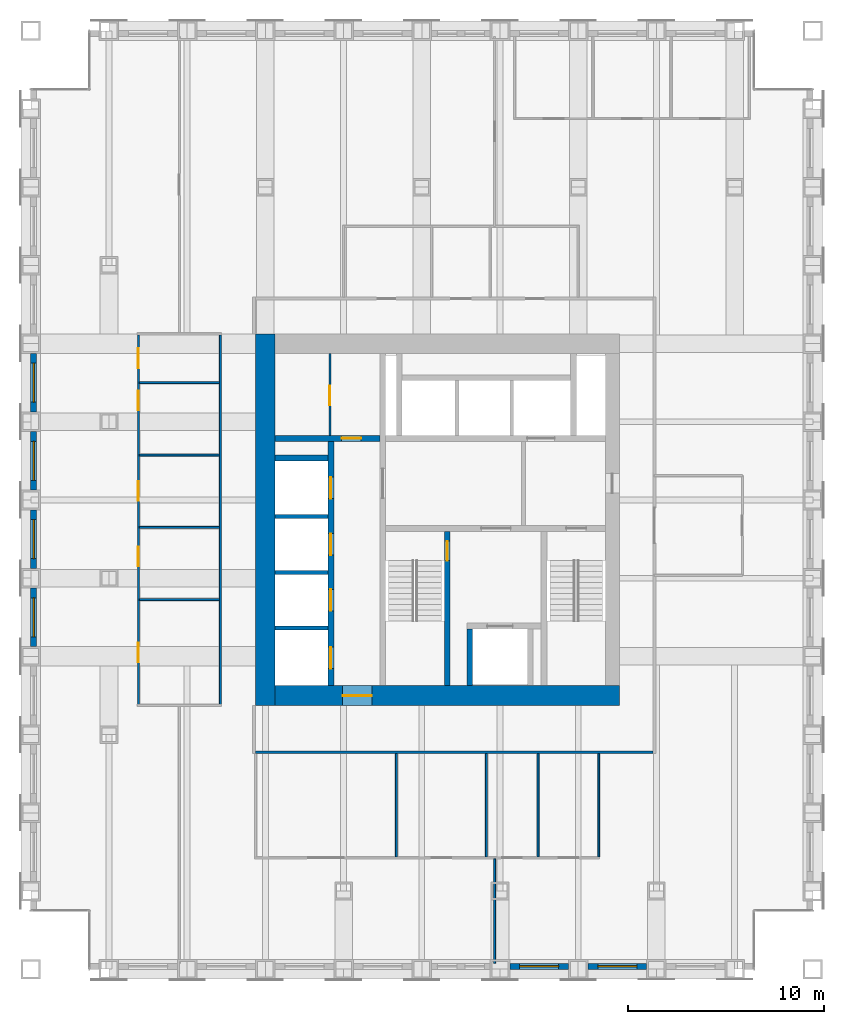
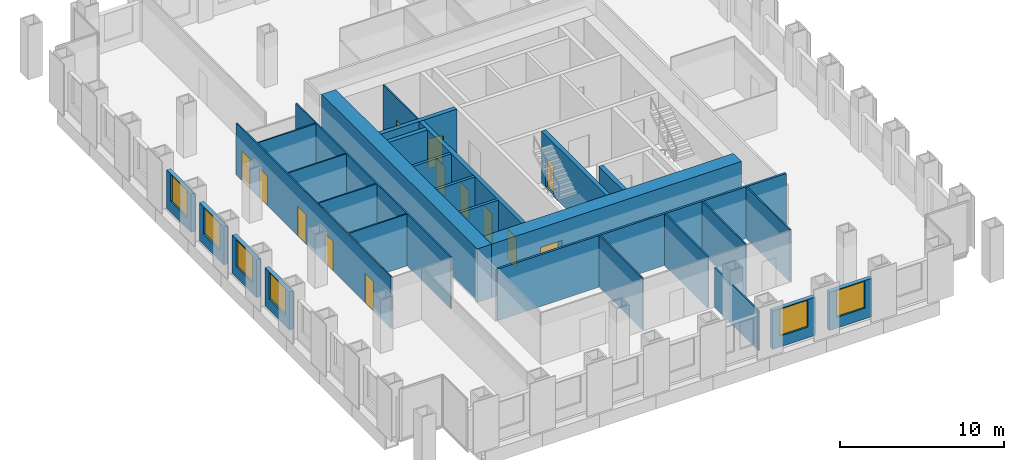
# One storey, part 8 of 12: 29 walls, 13 doors, 6 windows, 19 openings.
"""IFC4 building model written with IfcOpenShell, lengths in metres."""

from ifc_helpers import new_model, si_unit, direction, frame, frame_2d, origin, place, context, subcontext, project, spatial, rectangle, extrude, material, layer, layer_set, type_object, element, fill, save


model = new_model("IFC4")

# Units and contexts
model_context = context("Model", 3, precision=1e-05, world=origin(), true_north=direction((0.0, 1.0)))
body_context = subcontext(model_context, "Body", "Model", "MODEL_VIEW")
ifc_project = project(units=[si_unit("LENGTHUNIT", "METRE"), si_unit("AREAUNIT", "SQUARE_METRE"), si_unit("VOLUMEUNIT", "CUBIC_METRE"), si_unit("PLANEANGLEUNIT", "RADIAN"), si_unit("MASSUNIT", "GRAM", prefix="KILO")], contexts=[model_context])

# Site, building, storey
site_placement = place(None, origin())
site = spatial("IfcSite", under=ifc_project, at=site_placement, CompositionType="ELEMENT")
building_placement = place(site_placement, origin())
building = spatial("IfcBuilding", under=site, at=building_placement, Name="Rimbunsela Tower", CompositionType="ELEMENT")
storey_placement = place(building_placement, frame((0.0, 0.0, 163.800048828125)))
storey = spatial("IfcBuildingStorey", under=building, at=storey_placement, Name="L39", CompositionType="ELEMENT", Elevation=163.800048828125)

# Wall, opening, door
ifc_material_1 = material(Name="Concrete fc' 80 MPa", Category="concrete")
ifc_layer_1 = layer(ifc_material_1, 0.300048828125)
ifc_layer_set_1 = layer_set([ifc_layer_1], Name="Core internal wall 300")
wall_type_1 = type_object("IfcWallType", Name="Core internal wall 300", PredefinedType="SHEAR", material=ifc_layer_set_1)
wall_1_placement = place(storey_placement, frame((27.300048828125, 18.5, -0.150146484375), z_axis=(0.0, 0.0, 1.0), x_axis=(0.0, 1.0, 0.0)))
wall_1 = element("IfcWall", 1, at=wall_1_placement, inside=storey, type_object=wall_type_1, Name="Stair A enclosure", PredefinedType="SHEAR", context=body_context, shape_type="SweptSolid", body=[
    extrude(rectangle(XDim=7.89990234375, YDim=0.300048828125, at=frame_2d((3.949951171875, 0.0))), origin(), (0.0, 0.0, 1.0), 4.0),
])
opening_1_placement = place(wall_1_placement, frame((6.39990234375, 0.0, 0.14990234375)))
opening_1 = element("IfcOpeningElement", 2, at=opening_1_placement, cuts=wall_1, Name="Opening D01", PredefinedType="OPENING", context=body_context, shape_type="SweptSolid", body=[
    extrude(rectangle(XDim=1.0, YDim=2.199951171875, at=frame_2d((0.5, 1.10009765625))), frame((0.0, 0.159912109375, 0.0), z_axis=(0.0, -1.0, 0.0), x_axis=(1.0, 0.0, 0.0)), (0.0, 0.0, 1.0), 0.320068359375),
])
ifc_material_2 = material(Name="Steel door, fire rated", Category="steel")
door_type_1 = type_object("IfcDoorType", Name="Stair door 1000", OperationType="SINGLE_SWING_RIGHT", PredefinedType="DOOR", material=ifc_material_2)
door_1_placement = place(opening_1_placement, origin())
door_1 = element("IfcDoor", 3, at=door_1_placement, inside=storey, type_object=door_type_1, Name="Stair A door", OperationType="SINGLE_SWING_RIGHT", OverallHeight=2.199951171875, OverallWidth=1.0, PredefinedType="DOOR", context=body_context, shape_type="SweptSolid", body=[
    extrude(rectangle(XDim=1.0, YDim=2.199951171875, at=frame_2d((0.5, 1.10009765625))), frame((0.0, 0.02490234375, 0.0), z_axis=(0.0, -1.0, 0.0), x_axis=(1.0, 0.0, 0.0)), (0.0, 0.0, 1.0), 0.050048828125),
])
fill(opening_1, door_1)

# Wall
wall_2_placement = place(storey_placement, frame((28.449951171875, 18.5, -0.150146484375), z_axis=(0.0, 0.0, 1.0), x_axis=(0.0, 1.0, 0.0)))
element("IfcWall", 4, at=wall_2_placement, inside=storey, type_object=wall_type_1, Name="Firefighting lift shaft west", PredefinedType="SHEAR", context=body_context, shape_type="SweptSolid", body=[
    extrude(rectangle(XDim=2.89990234375, YDim=0.300048828125, at=frame_2d((1.449951171875, 0.0))), origin(), (0.0, 0.0, 1.0), 4.0),
])

# Wall, openings, doors
wall_3_placement = place(storey_placement, frame((21.35009765625, 18.5, -0.150146484375), z_axis=(0.0, 0.0, 1.0), x_axis=(0.0, 1.0, 0.0)))
wall_3 = element("IfcWall", 5, at=wall_3_placement, inside=storey, type_object=wall_type_1, Name="Lift shaft front west", PredefinedType="SHEAR", context=body_context, shape_type="SweptSolid", body=[
    extrude(rectangle(XDim=12.5, YDim=0.300048828125, at=frame_2d((6.25, 0.0))), origin(), (0.0, 0.0, 1.0), 4.0),
])
opening_2_placement = place(wall_3_placement, frame((0.875, 0.0, 0.14990234375)))
opening_2 = element("IfcOpeningElement", 6, at=opening_2_placement, cuts=wall_3, Name="Opening LD1", PredefinedType="OPENING", context=body_context, shape_type="SweptSolid", body=[
    extrude(rectangle(XDim=1.10009765625, YDim=2.199951171875, at=frame_2d((0.550048828125, 1.10009765625))), frame((0.0, 0.159912109375, 0.0), z_axis=(0.0, -1.0, 0.0), x_axis=(1.0, 0.0, 0.0)), (0.0, 0.0, 1.0), 0.320068359375),
])
opening_3_placement = place(wall_3_placement, frame((3.824951171875, 0.0, 0.14990234375)))
opening_3 = element("IfcOpeningElement", 7, at=opening_3_placement, cuts=wall_3, Name="Opening LD1", PredefinedType="OPENING", context=body_context, shape_type="SweptSolid", body=[
    extrude(rectangle(XDim=1.10009765625, YDim=2.199951171875, at=frame_2d((0.550048828125, 1.10009765625))), frame((0.0, 0.159912109375, 0.0), z_axis=(0.0, -1.0, 0.0), x_axis=(1.0, 0.0, 0.0)), (0.0, 0.0, 1.0), 0.320068359375),
])
opening_4_placement = place(wall_3_placement, frame((6.675048828125, 0.0, 0.14990234375)))
opening_4 = element("IfcOpeningElement", 8, at=opening_4_placement, cuts=wall_3, Name="Opening LD1", PredefinedType="OPENING", context=body_context, shape_type="SweptSolid", body=[
    extrude(rectangle(XDim=1.10009765625, YDim=2.199951171875, at=frame_2d((0.550048828125, 1.10009765625))), frame((0.0, 0.159912109375, 0.0), z_axis=(0.0, -1.0, 0.0), x_axis=(1.0, 0.0, 0.0)), (0.0, 0.0, 1.0), 0.320068359375),
])
opening_5_placement = place(wall_3_placement, frame((9.574951171875, 0.0, 0.14990234375)))
opening_5 = element("IfcOpeningElement", 9, at=opening_5_placement, cuts=wall_3, Name="Opening LD1", PredefinedType="OPENING", context=body_context, shape_type="SweptSolid", body=[
    extrude(rectangle(XDim=1.10009765625, YDim=2.199951171875, at=frame_2d((0.550048828125, 1.10009765625))), frame((0.0, 0.159912109375, 0.0), z_axis=(0.0, -1.0, 0.0), x_axis=(1.0, 0.0, 0.0)), (0.0, 0.0, 1.0), 0.320068359375),
])
ifc_material_3 = material(Name="Steel door, fire rated", Category="steel")
door_type_2 = type_object("IfcDoorType", Name="Lift landing door 1100", OperationType="DOUBLE_DOOR_SLIDING", PredefinedType="DOOR", material=ifc_material_3)
door_2_placement = place(opening_2_placement, origin())
door_2 = element("IfcDoor", 10, at=door_2_placement, inside=storey, type_object=door_type_2, Name="Lift landing door HL1", OperationType="DOUBLE_DOOR_SLIDING", OverallHeight=2.199951171875, OverallWidth=1.10009765625, PredefinedType="DOOR", context=body_context, shape_type="SweptSolid", body=[
    extrude(rectangle(XDim=1.10009765625, YDim=2.199951171875, at=frame_2d((0.550048828125, 1.10009765625))), frame((0.0, 0.02490234375, 0.0), z_axis=(0.0, -1.0, 0.0), x_axis=(1.0, 0.0, 0.0)), (0.0, 0.0, 1.0), 0.050048828125),
])
fill(opening_2, door_2)
door_3_placement = place(opening_3_placement, origin())
door_3 = element("IfcDoor", 11, at=door_3_placement, inside=storey, type_object=door_type_2, Name="Lift landing door HL2", OperationType="DOUBLE_DOOR_SLIDING", OverallHeight=2.199951171875, OverallWidth=1.10009765625, PredefinedType="DOOR", context=body_context, shape_type="SweptSolid", body=[
    extrude(rectangle(XDim=1.10009765625, YDim=2.199951171875, at=frame_2d((0.550048828125, 1.10009765625))), frame((0.0, 0.02490234375, 0.0), z_axis=(0.0, -1.0, 0.0), x_axis=(1.0, 0.0, 0.0)), (0.0, 0.0, 1.0), 0.050048828125),
])
fill(opening_3, door_3)
door_4_placement = place(opening_4_placement, origin())
door_4 = element("IfcDoor", 12, at=door_4_placement, inside=storey, type_object=door_type_2, Name="Lift landing door HL3", OperationType="DOUBLE_DOOR_SLIDING", OverallHeight=2.199951171875, OverallWidth=1.10009765625, PredefinedType="DOOR", context=body_context, shape_type="SweptSolid", body=[
    extrude(rectangle(XDim=1.10009765625, YDim=2.199951171875, at=frame_2d((0.550048828125, 1.10009765625))), frame((0.0, 0.02490234375, 0.0), z_axis=(0.0, -1.0, 0.0), x_axis=(1.0, 0.0, 0.0)), (0.0, 0.0, 1.0), 0.050048828125),
])
fill(opening_4, door_4)
door_5_placement = place(opening_5_placement, origin())
door_5 = element("IfcDoor", 13, at=door_5_placement, inside=storey, type_object=door_type_2, Name="Lift landing door HL4", OperationType="DOUBLE_DOOR_SLIDING", OverallHeight=2.199951171875, OverallWidth=1.10009765625, PredefinedType="DOOR", context=body_context, shape_type="SweptSolid", body=[
    extrude(rectangle(XDim=1.10009765625, YDim=2.199951171875, at=frame_2d((0.550048828125, 1.10009765625))), frame((0.0, 0.02490234375, 0.0), z_axis=(0.0, -1.0, 0.0), x_axis=(1.0, 0.0, 0.0)), (0.0, 0.0, 1.0), 0.050048828125),
])
fill(opening_5, door_5)

# Wall, opening, door
wall_4_placement = place(storey_placement, frame((18.5, 31.14990234375, -0.150146484375), z_axis=(0.0, 0.0, 1.0), x_axis=(1.0, 0.0, 0.0)))
wall_4 = element("IfcWall", 14, at=wall_4_placement, inside=storey, type_object=wall_type_1, Name="Store wall", PredefinedType="SHEAR", context=body_context, shape_type="SweptSolid", body=[
    extrude(rectangle(XDim=5.35009765625, YDim=0.300048828125, at=frame_2d((2.675048828125, 0.0))), origin(), (0.0, 0.0, 1.0), 4.0),
])
opening_6_placement = place(wall_4_placement, frame((3.39990234375, 0.0, 0.14990234375)))
opening_6 = element("IfcOpeningElement", 15, at=opening_6_placement, cuts=wall_4, Name="Opening D19", PredefinedType="OPENING", context=body_context, shape_type="SweptSolid", body=[
    extrude(rectangle(XDim=1.0, YDim=2.199951171875, at=frame_2d((0.5, 1.10009765625))), frame((0.0, 0.159912109375, 0.0), z_axis=(0.0, -1.0, 0.0), x_axis=(1.0, 0.0, 0.0)), (0.0, 0.0, 1.0), 0.320068359375),
])
ifc_material_4 = material(Name="Steel door, fire rated", Category="steel")
door_type_3 = type_object("IfcDoorType", Name="Service door 1000 fire rated", OperationType="SINGLE_SWING_LEFT", PredefinedType="DOOR", material=ifc_material_4)
door_6_placement = place(opening_6_placement, origin())
door_6 = element("IfcDoor", 16, at=door_6_placement, inside=storey, type_object=door_type_3, Name="Cleaners store door", OperationType="SINGLE_SWING_LEFT", OverallHeight=2.199951171875, OverallWidth=1.0, PredefinedType="DOOR", context=body_context, shape_type="SweptSolid", body=[
    extrude(rectangle(XDim=1.0, YDim=2.199951171875, at=frame_2d((0.5, 1.10009765625))), frame((0.0, 0.02490234375, 0.0), z_axis=(0.0, -1.0, 0.0), x_axis=(1.0, 0.0, 0.0)), (0.0, 0.0, 1.0), 0.050048828125),
])
fill(opening_6, door_6)

# Wall
wall_5_placement = place(storey_placement, frame((18.5, 30.14990234375, -0.150146484375), z_axis=(0.0, 0.0, 1.0), x_axis=(1.0, 0.0, 0.0)))
element("IfcWall", 17, at=wall_5_placement, inside=storey, type_object=wall_type_1, Name="Lift shaft rear west", PredefinedType="SHEAR", context=body_context, shape_type="SweptSolid", body=[
    extrude(rectangle(XDim=2.699951171875, YDim=0.300048828125, at=frame_2d((1.35009765625, 0.0))), origin(), (0.0, 0.0, 1.0), 4.0),
])

# Wall, opening, door
ifc_material_5 = material(Name="Concrete blockwork", Category="masonry")
ifc_layer_2 = layer(ifc_material_5, 0.10009765625)
ifc_layer_set_2 = layer_set([ifc_layer_2], Name="Core room partition 100")
wall_type_2 = type_object("IfcWallType", Name="Core room partition 100", PredefinedType="PARTITIONING", material=ifc_layer_set_2)
wall_6_placement = place(storey_placement, frame((21.300048828125, 31.300048828125, 0.0), z_axis=(0.0, 0.0, 1.0), x_axis=(0.0, 1.0, 0.0)))
wall_6 = element("IfcWall", 18, at=wall_6_placement, inside=storey, type_object=wall_type_2, Name="Housekeeping store wall", PredefinedType="PARTITIONING", context=body_context, shape_type="SweptSolid", body=[
    extrude(rectangle(XDim=4.199951171875, YDim=0.10009765625, at=frame_2d((2.10009765625, 0.0))), origin(), (0.0, 0.0, 1.0), 3.849853515625),
])
opening_7_placement = place(wall_6_placement, frame((1.550048828125, 0.0, 0.0)))
opening_7 = element("IfcOpeningElement", 19, at=opening_7_placement, cuts=wall_6, Name="Opening D19", PredefinedType="OPENING", context=body_context, shape_type="SweptSolid", body=[
    extrude(rectangle(XDim=1.0, YDim=2.199951171875, at=frame_2d((0.5, 1.10009765625))), frame((0.0, 0.06005859375, 0.0), z_axis=(0.0, -1.0, 0.0), x_axis=(1.0, 0.0, 0.0)), (0.0, 0.0, 1.0), 0.1201171875),
])
door_7_placement = place(opening_7_placement, origin())
door_7 = element("IfcDoor", 20, at=door_7_placement, inside=storey, type_object=door_type_3, Name="Housekeeping store door", OperationType="SINGLE_SWING_LEFT", OverallHeight=2.199951171875, OverallWidth=1.0, PredefinedType="DOOR", context=body_context, shape_type="SweptSolid", body=[
    extrude(rectangle(XDim=1.0, YDim=2.199951171875, at=frame_2d((0.5, 1.10009765625))), frame((0.0, 0.02490234375, 0.0), z_axis=(0.0, -1.0, 0.0), x_axis=(1.0, 0.0, 0.0)), (0.0, 0.0, 1.0), 0.050048828125),
])
fill(opening_7, door_7)

# Wall
ifc_material_6 = material(Name="Concrete fc' 80 MPa", Category="concrete")
ifc_layer_3 = layer(ifc_material_6, 1.0)
ifc_layer_set_3 = layer_set([ifc_layer_3], Name="Core wall 1000")
wall_type_3 = type_object("IfcWallType", Name="Core wall 1000", PredefinedType="SHEAR", material=ifc_layer_set_3)
wall_7_placement = place(storey_placement, frame((18.0, 17.5, -0.150146484375), z_axis=(0.0, 0.0, 1.0), x_axis=(0.0, 1.0, 0.0)))
element("IfcWall", 21, at=wall_7_placement, inside=storey, type_object=wall_type_3, Name="Core wall west", PredefinedType="SHEAR", context=body_context, shape_type="SweptSolid", body=[
    extrude(rectangle(XDim=19.0, YDim=1.0, at=frame_2d((9.5, 0.0))), origin(), (0.0, 0.0, 1.0), 4.0),
])

# Wall, opening, door
wall_8_placement = place(storey_placement, frame((18.5, 18.0, -0.150146484375), z_axis=(0.0, 0.0, 1.0), x_axis=(1.0, 0.0, 0.0)))
wall_8 = element("IfcWall", 22, at=wall_8_placement, inside=storey, type_object=wall_type_3, Name="Core wall south", PredefinedType="SHEAR", context=body_context, shape_type="SweptSolid", body=[
    extrude(rectangle(XDim=17.60009765625, YDim=1.0, at=frame_2d((8.800048828125, 0.0))), origin(), (0.0, 0.0, 1.0), 4.0),
])
opening_8_placement = place(wall_8_placement, frame((3.449951171875, 0.0, 0.14990234375)))
opening_8 = element("IfcOpeningElement", 23, at=opening_8_placement, cuts=wall_8, Name="Opening D03", PredefinedType="OPENING", context=body_context, shape_type="SweptSolid", body=[
    extrude(rectangle(XDim=1.5, YDim=2.39990234375, at=frame_2d((0.75, 1.199951171875))), frame((0.0, 0.510009765625, 0.0), z_axis=(0.0, -1.0, 0.0), x_axis=(1.0, 0.0, 0.0)), (0.0, 0.0, 1.0), 1.02001953125),
])
ifc_material_7 = material(Name="Steel door, fire rated", Category="steel")
door_type_4 = type_object("IfcDoorType", Name="Core lobby door 1500", OperationType="DOUBLE_DOOR_DOUBLE_SWING", PredefinedType="DOOR", material=ifc_material_7)
door_8_placement = place(opening_8_placement, origin())
door_8 = element("IfcDoor", 24, at=door_8_placement, inside=storey, type_object=door_type_4, Name="Core door south", OperationType="DOUBLE_DOOR_DOUBLE_SWING", OverallHeight=2.39990234375, OverallWidth=1.5, PredefinedType="DOOR", context=body_context, shape_type="SweptSolid", body=[
    extrude(rectangle(XDim=1.5, YDim=2.39990234375, at=frame_2d((0.75, 1.199951171875))), frame((0.0, 0.02490234375, 0.0), z_axis=(0.0, -1.0, 0.0), x_axis=(1.0, 0.0, 0.0)), (0.0, 0.0, 1.0), 0.050048828125),
])
fill(opening_8, door_8)

# Walls
ifc_material_8 = material(Name="Concrete blockwork", Category="masonry")
ifc_layer_4 = layer(ifc_material_8, 0.199951171875)
ifc_layer_set_4 = layer_set([ifc_layer_4], Name="Lift shaft wall 200")
wall_type_4 = type_object("IfcWallType", Name="Lift shaft wall 200", PredefinedType="SOLIDWALL", material=ifc_layer_set_4)
for number, where, z_axis, x_axis, name in (
    (25, (18.5, 21.449951171875, -0.150146484375), (0.0, 0.0, 1.0), (1.0, 0.0, 0.0), "Lift shaft separation"),
    (26, (18.5, 24.300048828125, -0.150146484375), (0.0, 0.0, 1.0), (1.0, 0.0, 0.0), "Lift shaft separation"),
    (27, (18.5, 27.14990234375, -0.150146484375), (0.0, 0.0, 1.0), (1.0, 0.0, 0.0), "Lift shaft separation"),
):
    element("IfcWall", number, at=place(storey_placement, frame(where, z_axis=z_axis, x_axis=x_axis)), inside=storey, type_object=wall_type_4, Name=name, PredefinedType="SOLIDWALL", context=body_context, shape_type="SweptSolid", body=[
        extrude(rectangle(XDim=2.699951171875, YDim=0.199951171875, at=frame_2d((1.35009765625, 0.0))), origin(), (0.0, 0.0, 1.0), 4.0),
    ])
ifc_material_9 = material(Name="Gypsum board on steel studs", Category="steel")
ifc_layer_5 = layer(ifc_material_9, 0.10009765625)
ifc_layer_set_5 = layer_set([ifc_layer_5], Name="Office partition 100")
wall_type_5 = type_object("IfcWallType", Name="Office partition 100", PredefinedType="PARTITIONING", material=ifc_layer_set_5)
for number, where, z_axis, x_axis, name in (
    (28, (11.550048828125, 22.89990234375, 0.0), (0.0, 0.0, 1.0), (1.0, 0.0, 0.0), "Office partition"),
    (29, (11.550048828125, 26.60009765625, 0.0), (0.0, 0.0, 1.0), (1.0, 0.0, 0.0), "Office partition"),
    (30, (11.550048828125, 30.300048828125, 0.0), (0.0, 0.0, 1.0), (1.0, 0.0, 0.0), "Office partition"),
    (31, (11.550048828125, 34.0, 0.0), (0.0, 0.0, 1.0), (1.0, 0.0, 0.0), "Office partition"),
):
    element("IfcWall", number, at=place(storey_placement, frame(where, z_axis=z_axis, x_axis=x_axis)), inside=storey, type_object=wall_type_5, Name=name, PredefinedType="PARTITIONING", context=body_context, shape_type="SweptSolid", body=[
        extrude(rectangle(XDim=4.099853515625, YDim=0.10009765625, at=frame_2d((2.0498046875, 0.0))), origin(), (0.0, 0.0, 1.0), 3.849853515625),
    ])

# Wall, openings, doors
wall_9_placement = place(storey_placement, frame((11.5, 17.550048828125, 0.0), z_axis=(0.0, 0.0, 1.0), x_axis=(0.0, 1.0, 0.0)))
wall_9 = element("IfcWall", 32, at=wall_9_placement, inside=storey, type_object=wall_type_5, Name="Office partition", PredefinedType="PARTITIONING", context=body_context, shape_type="SweptSolid", body=[
    extrude(rectangle(XDim=18.89990234375, YDim=0.10009765625, at=frame_2d((9.449951171875, 0.0))), origin(), (0.0, 0.0, 1.0), 3.849853515625),
])
opening_9_placement = place(wall_9_placement, frame((2.14990234375, 0.0, 0.0)))
opening_9 = element("IfcOpeningElement", 33, at=opening_9_placement, cuts=wall_9, Name="Opening D17", PredefinedType="OPENING", context=body_context, shape_type="SweptSolid", body=[
    extrude(rectangle(XDim=1.0, YDim=2.199951171875, at=frame_2d((0.5, 1.10009765625))), frame((0.0, 0.06005859375, 0.0), z_axis=(0.0, -1.0, 0.0), x_axis=(1.0, 0.0, 0.0)), (0.0, 0.0, 1.0), 0.1201171875),
])
opening_10_placement = place(wall_9_placement, frame((7.050048828125, 0.0, 0.0)))
opening_10 = element("IfcOpeningElement", 34, at=opening_10_placement, cuts=wall_9, Name="Opening D17", PredefinedType="OPENING", context=body_context, shape_type="SweptSolid", body=[
    extrude(rectangle(XDim=1.0, YDim=2.199951171875, at=frame_2d((0.5, 1.10009765625))), frame((0.0, 0.06005859375, 0.0), z_axis=(0.0, -1.0, 0.0), x_axis=(1.0, 0.0, 0.0)), (0.0, 0.0, 1.0), 0.1201171875),
])
opening_11_placement = place(wall_9_placement, frame((10.39990234375, 0.0, 0.0)))
opening_11 = element("IfcOpeningElement", 35, at=opening_11_placement, cuts=wall_9, Name="Opening D17", PredefinedType="OPENING", context=body_context, shape_type="SweptSolid", body=[
    extrude(rectangle(XDim=1.0, YDim=2.199951171875, at=frame_2d((0.5, 1.10009765625))), frame((0.0, 0.06005859375, 0.0), z_axis=(0.0, -1.0, 0.0), x_axis=(1.0, 0.0, 0.0)), (0.0, 0.0, 1.0), 0.1201171875),
])
opening_12_placement = place(wall_9_placement, frame((15.050048828125, 0.0, 0.0)))
opening_12 = element("IfcOpeningElement", 36, at=opening_12_placement, cuts=wall_9, Name="Opening D17", PredefinedType="OPENING", context=body_context, shape_type="SweptSolid", body=[
    extrude(rectangle(XDim=1.0, YDim=2.199951171875, at=frame_2d((0.5, 1.10009765625))), frame((0.0, 0.06005859375, 0.0), z_axis=(0.0, -1.0, 0.0), x_axis=(1.0, 0.0, 0.0)), (0.0, 0.0, 1.0), 0.1201171875),
])
opening_13_placement = place(wall_9_placement, frame((17.199951171875, 0.0, 0.0)))
opening_13 = element("IfcOpeningElement", 37, at=opening_13_placement, cuts=wall_9, Name="Opening D16", PredefinedType="OPENING", context=body_context, shape_type="SweptSolid", body=[
    extrude(rectangle(XDim=1.0, YDim=2.199951171875, at=frame_2d((0.5, 1.10009765625))), frame((0.0, 0.06005859375, 0.0), z_axis=(0.0, -1.0, 0.0), x_axis=(1.0, 0.0, 0.0)), (0.0, 0.0, 1.0), 0.1201171875),
])
ifc_material_10 = material(Name="Glazed aluminium door", Category="aluminium")
door_type_5 = type_object("IfcDoorType", Name="Meeting room door 1000 glazed", OperationType="SINGLE_SWING_RIGHT", PredefinedType="DOOR", material=ifc_material_10)
door_9_placement = place(opening_9_placement, origin())
door_9 = element("IfcDoor", 38, at=door_9_placement, inside=storey, type_object=door_type_5, Name="Meeting room door", OperationType="SINGLE_SWING_RIGHT", OverallHeight=2.199951171875, OverallWidth=1.0, PredefinedType="DOOR", context=body_context, shape_type="SweptSolid", body=[
    extrude(rectangle(XDim=1.0, YDim=2.199951171875, at=frame_2d((0.5, 1.10009765625))), frame((0.0, 0.02490234375, 0.0), z_axis=(0.0, -1.0, 0.0), x_axis=(1.0, 0.0, 0.0)), (0.0, 0.0, 1.0), 0.050048828125),
])
fill(opening_9, door_9)
door_10_placement = place(opening_10_placement, origin())
door_10 = element("IfcDoor", 39, at=door_10_placement, inside=storey, type_object=door_type_5, Name="Meeting room door", OperationType="SINGLE_SWING_RIGHT", OverallHeight=2.199951171875, OverallWidth=1.0, PredefinedType="DOOR", context=body_context, shape_type="SweptSolid", body=[
    extrude(rectangle(XDim=1.0, YDim=2.199951171875, at=frame_2d((0.5, 1.10009765625))), frame((0.0, 0.02490234375, 0.0), z_axis=(0.0, -1.0, 0.0), x_axis=(1.0, 0.0, 0.0)), (0.0, 0.0, 1.0), 0.050048828125),
])
fill(opening_10, door_10)
door_11_placement = place(opening_11_placement, origin())
door_11 = element("IfcDoor", 40, at=door_11_placement, inside=storey, type_object=door_type_5, Name="Meeting room door", OperationType="SINGLE_SWING_RIGHT", OverallHeight=2.199951171875, OverallWidth=1.0, PredefinedType="DOOR", context=body_context, shape_type="SweptSolid", body=[
    extrude(rectangle(XDim=1.0, YDim=2.199951171875, at=frame_2d((0.5, 1.10009765625))), frame((0.0, 0.02490234375, 0.0), z_axis=(0.0, -1.0, 0.0), x_axis=(1.0, 0.0, 0.0)), (0.0, 0.0, 1.0), 0.050048828125),
])
fill(opening_11, door_11)
door_12_placement = place(opening_12_placement, origin())
door_12 = element("IfcDoor", 41, at=door_12_placement, inside=storey, type_object=door_type_5, Name="Meeting room door", OperationType="SINGLE_SWING_RIGHT", OverallHeight=2.199951171875, OverallWidth=1.0, PredefinedType="DOOR", context=body_context, shape_type="SweptSolid", body=[
    extrude(rectangle(XDim=1.0, YDim=2.199951171875, at=frame_2d((0.5, 1.10009765625))), frame((0.0, 0.02490234375, 0.0), z_axis=(0.0, -1.0, 0.0), x_axis=(1.0, 0.0, 0.0)), (0.0, 0.0, 1.0), 0.050048828125),
])
fill(opening_12, door_12)
ifc_material_11 = material(Name="Timber door", Category="wood")
door_type_6 = type_object("IfcDoorType", Name="Office door 1000", OperationType="SINGLE_SWING_LEFT", PredefinedType="DOOR", material=ifc_material_11)
door_13_placement = place(opening_13_placement, origin())
door_13 = element("IfcDoor", 42, at=door_13_placement, inside=storey, type_object=door_type_6, Name="Office door", OperationType="SINGLE_SWING_LEFT", OverallHeight=2.199951171875, OverallWidth=1.0, PredefinedType="DOOR", context=body_context, shape_type="SweptSolid", body=[
    extrude(rectangle(XDim=1.0, YDim=2.199951171875, at=frame_2d((0.5, 1.10009765625))), frame((0.0, 0.02490234375, 0.0), z_axis=(0.0, -1.0, 0.0), x_axis=(1.0, 0.0, 0.0)), (0.0, 0.0, 1.0), 0.050048828125),
])
fill(opening_13, door_13)

# Walls
wall_10_placement = place(storey_placement, frame((15.699951171875, 17.550048828125, 0.0), z_axis=(0.0, 0.0, 1.0), x_axis=(0.0, 1.0, 0.0)))
element("IfcWall", 43, at=wall_10_placement, inside=storey, type_object=wall_type_5, Name="Office partition", PredefinedType="PARTITIONING", context=body_context, shape_type="SweptSolid", body=[
    extrude(rectangle(XDim=18.89990234375, YDim=0.10009765625, at=frame_2d((9.449951171875, 0.0))), origin(), (0.0, 0.0, 1.0), 3.849853515625),
])
for number, where, z_axis, x_axis, name in (
    (44, (24.699951171875, 9.75, 0.0), (0.0, 0.0, 1.0), (0.0, 1.0, 0.0), "Office partition"),
    (45, (29.300048828125, 9.75, 0.0), (0.0, 0.0, 1.0), (0.0, 1.0, 0.0), "Office partition"),
    (46, (31.949951171875, 9.75, 0.0), (0.0, 0.0, 1.0), (0.0, 1.0, 0.0), "Office partition"),
    (47, (35.050048828125, 9.75, 0.0), (0.0, 0.0, 1.0), (0.0, 1.0, 0.0), "Office partition"),
):
    element("IfcWall", number, at=place(storey_placement, frame(where, z_axis=z_axis, x_axis=x_axis)), inside=storey, type_object=wall_type_5, Name=name, PredefinedType="PARTITIONING", context=body_context, shape_type="SweptSolid", body=[
        extrude(rectangle(XDim=5.27490234375, YDim=0.10009765625, at=frame_2d((2.637451171875, 0.0))), origin(), (0.0, 0.0, 1.0), 3.849853515625),
    ])
wall_11_placement = place(storey_placement, frame((29.72509765625, 9.64990234375, 0.0), z_axis=(0.0, 0.0, 1.0), x_axis=(0.0, -1.0, 0.0)))
element("IfcWall", 48, at=wall_11_placement, inside=storey, type_object=wall_type_5, Name="Office partition", PredefinedType="PARTITIONING", context=body_context, shape_type="SweptSolid", body=[
    extrude(rectangle(XDim=5.349853515625, YDim=0.10009765625, at=frame_2d((2.6748046875, 0.0))), origin(), (0.0, 0.0, 1.0), 2.949951171875),
])

# Wall, opening, window
ifc_material_12 = material(Name="Precast concrete fc' 35 MPa", Category="concrete")
ifc_layer_6 = layer(ifc_material_12, 0.300048828125)
ifc_layer_set_6 = layer_set([ifc_layer_6], Name="Precast concrete fc' 35 MPa")
wall_type_6 = type_object("IfcWallType", Name="Precast facade panel 300", PredefinedType="ELEMENTEDWALL", material=ifc_layer_set_6)
wall_12_placement = place(storey_placement, frame((30.5, 4.14990234375, 0.0), z_axis=(0.0, 0.0, 1.0), x_axis=(1.0, 0.0, 0.0)))
wall_12 = element("IfcWall", 49, at=wall_12_placement, inside=storey, type_object=wall_type_6, Name="Facade panel S L39", PredefinedType="ELEMENTEDWALL", context=body_context, shape_type="SweptSolid", body=[
    extrude(rectangle(XDim=3.0, YDim=0.300048828125, at=frame_2d((1.5, 0.0))), origin(), (0.0, 0.0, 1.0), 2.849853515625),
])
opening_14_placement = place(wall_12_placement, frame((0.5, 0.0, 0.800048828125)))
opening_14 = element("IfcOpeningElement", 50, at=opening_14_placement, cuts=wall_12, Name="Opening W1", PredefinedType="OPENING", context=body_context, shape_type="SweptSolid", body=[
    extrude(rectangle(XDim=2.0, YDim=2.0, at=frame_2d((1.0, 1.0))), frame((0.0, 0.159912109375, 0.0), z_axis=(0.0, -1.0, 0.0), x_axis=(1.0, 0.0, 0.0)), (0.0, 0.0, 1.0), 0.320068359375),
])
ifc_material_13 = material(Name="Clear glass in aluminium frame", Category="aluminium")
window_type = type_object("IfcWindowType", Name="Window W1 2000x2000", PartitioningType="DOUBLE_PANEL_VERTICAL", PredefinedType="WINDOW", material=ifc_material_13)
window_1_placement = place(opening_14_placement, origin())
window_1 = element("IfcWindow", 51, at=window_1_placement, inside=storey, type_object=window_type, Name="Window L39", OverallHeight=2.0, OverallWidth=2.0, PartitioningType="SINGLE_PANEL", PredefinedType="WINDOW", context=body_context, shape_type="SweptSolid", body=[
    extrude(rectangle(XDim=2.0, YDim=2.0, at=frame_2d((1.0, 1.0))), frame((0.0, 0.030029296875, 0.0), z_axis=(0.0, -1.0, 0.0), x_axis=(1.0, 0.0, 0.0)), (0.0, 0.0, 1.0), 0.06005859375),
])
fill(opening_14, window_1)

wall_13_placement = place(storey_placement, frame((34.5, 4.14990234375, 0.0), z_axis=(0.0, 0.0, 1.0), x_axis=(1.0, 0.0, 0.0)))
wall_13 = element("IfcWall", 52, at=wall_13_placement, inside=storey, type_object=wall_type_6, Name="Facade panel S L39", PredefinedType="ELEMENTEDWALL", context=body_context, shape_type="SweptSolid", body=[
    extrude(rectangle(XDim=3.0, YDim=0.300048828125, at=frame_2d((1.5, 0.0))), origin(), (0.0, 0.0, 1.0), 2.849853515625),
])
opening_15_placement = place(wall_13_placement, frame((0.5, 0.0, 0.800048828125)))
opening_15 = element("IfcOpeningElement", 53, at=opening_15_placement, cuts=wall_13, Name="Opening W1", PredefinedType="OPENING", context=body_context, shape_type="SweptSolid", body=[
    extrude(rectangle(XDim=2.0, YDim=2.0, at=frame_2d((1.0, 1.0))), frame((0.0, 0.159912109375, 0.0), z_axis=(0.0, -1.0, 0.0), x_axis=(1.0, 0.0, 0.0)), (0.0, 0.0, 1.0), 0.320068359375),
])
window_2_placement = place(opening_15_placement, origin())
window_2 = element("IfcWindow", 54, at=window_2_placement, inside=storey, type_object=window_type, Name="Window L39", OverallHeight=2.0, OverallWidth=2.0, PartitioningType="SINGLE_PANEL", PredefinedType="WINDOW", context=body_context, shape_type="SweptSolid", body=[
    extrude(rectangle(XDim=2.0, YDim=2.0, at=frame_2d((1.0, 1.0))), frame((0.0, 0.030029296875, 0.0), z_axis=(0.0, -1.0, 0.0), x_axis=(1.0, 0.0, 0.0)), (0.0, 0.0, 1.0), 0.06005859375),
])
fill(opening_15, window_2)

wall_14_placement = place(storey_placement, frame((6.14990234375, 23.5, 0.0), z_axis=(0.0, 0.0, 1.0), x_axis=(0.0, -1.0, 0.0)))
wall_14 = element("IfcWall", 55, at=wall_14_placement, inside=storey, type_object=wall_type_6, Name="Facade panel W L39", PredefinedType="ELEMENTEDWALL", context=body_context, shape_type="SweptSolid", body=[
    extrude(rectangle(XDim=3.0, YDim=0.300048828125, at=frame_2d((1.5, 0.0))), origin(), (0.0, 0.0, 1.0), 2.849853515625),
])
opening_16_placement = place(wall_14_placement, frame((0.5, 0.0, 0.800048828125)))
opening_16 = element("IfcOpeningElement", 56, at=opening_16_placement, cuts=wall_14, Name="Opening W1", PredefinedType="OPENING", context=body_context, shape_type="SweptSolid", body=[
    extrude(rectangle(XDim=2.0, YDim=2.0, at=frame_2d((1.0, 1.0))), frame((0.0, 0.159912109375, 0.0), z_axis=(0.0, -1.0, 0.0), x_axis=(1.0, 0.0, 0.0)), (0.0, 0.0, 1.0), 0.320068359375),
])
window_3_placement = place(opening_16_placement, origin())
window_3 = element("IfcWindow", 57, at=window_3_placement, inside=storey, type_object=window_type, Name="Window L39", OverallHeight=2.0, OverallWidth=2.0, PartitioningType="SINGLE_PANEL", PredefinedType="WINDOW", context=body_context, shape_type="SweptSolid", body=[
    extrude(rectangle(XDim=2.0, YDim=2.0, at=frame_2d((1.0, 1.0))), frame((0.0, 0.030029296875, 0.0), z_axis=(0.0, -1.0, 0.0), x_axis=(1.0, 0.0, 0.0)), (0.0, 0.0, 1.0), 0.06005859375),
])
fill(opening_16, window_3)

wall_15_placement = place(storey_placement, frame((6.14990234375, 27.5, 0.0), z_axis=(0.0, 0.0, 1.0), x_axis=(0.0, -1.0, 0.0)))
wall_15 = element("IfcWall", 58, at=wall_15_placement, inside=storey, type_object=wall_type_6, Name="Facade panel W L39", PredefinedType="ELEMENTEDWALL", context=body_context, shape_type="SweptSolid", body=[
    extrude(rectangle(XDim=3.0, YDim=0.300048828125, at=frame_2d((1.5, 0.0))), origin(), (0.0, 0.0, 1.0), 2.849853515625),
])
opening_17_placement = place(wall_15_placement, frame((0.5, 0.0, 0.800048828125)))
opening_17 = element("IfcOpeningElement", 59, at=opening_17_placement, cuts=wall_15, Name="Opening W1", PredefinedType="OPENING", context=body_context, shape_type="SweptSolid", body=[
    extrude(rectangle(XDim=2.0, YDim=2.0, at=frame_2d((1.0, 1.0))), frame((0.0, 0.159912109375, 0.0), z_axis=(0.0, -1.0, 0.0), x_axis=(1.0, 0.0, 0.0)), (0.0, 0.0, 1.0), 0.320068359375),
])
window_4_placement = place(opening_17_placement, origin())
window_4 = element("IfcWindow", 60, at=window_4_placement, inside=storey, type_object=window_type, Name="Window L39", OverallHeight=2.0, OverallWidth=2.0, PartitioningType="SINGLE_PANEL", PredefinedType="WINDOW", context=body_context, shape_type="SweptSolid", body=[
    extrude(rectangle(XDim=2.0, YDim=2.0, at=frame_2d((1.0, 1.0))), frame((0.0, 0.030029296875, 0.0), z_axis=(0.0, -1.0, 0.0), x_axis=(1.0, 0.0, 0.0)), (0.0, 0.0, 1.0), 0.06005859375),
])
fill(opening_17, window_4)

wall_16_placement = place(storey_placement, frame((6.14990234375, 31.5, 0.0), z_axis=(0.0, 0.0, 1.0), x_axis=(0.0, -1.0, 0.0)))
wall_16 = element("IfcWall", 61, at=wall_16_placement, inside=storey, type_object=wall_type_6, Name="Facade panel W L39", PredefinedType="ELEMENTEDWALL", context=body_context, shape_type="SweptSolid", body=[
    extrude(rectangle(XDim=3.0, YDim=0.300048828125, at=frame_2d((1.5, 0.0))), origin(), (0.0, 0.0, 1.0), 2.849853515625),
])
opening_18_placement = place(wall_16_placement, frame((0.5, 0.0, 0.800048828125)))
opening_18 = element("IfcOpeningElement", 62, at=opening_18_placement, cuts=wall_16, Name="Opening W1", PredefinedType="OPENING", context=body_context, shape_type="SweptSolid", body=[
    extrude(rectangle(XDim=2.0, YDim=2.0, at=frame_2d((1.0, 1.0))), frame((0.0, 0.159912109375, 0.0), z_axis=(0.0, -1.0, 0.0), x_axis=(1.0, 0.0, 0.0)), (0.0, 0.0, 1.0), 0.320068359375),
])
window_5_placement = place(opening_18_placement, origin())
window_5 = element("IfcWindow", 63, at=window_5_placement, inside=storey, type_object=window_type, Name="Window L39", OverallHeight=2.0, OverallWidth=2.0, PartitioningType="SINGLE_PANEL", PredefinedType="WINDOW", context=body_context, shape_type="SweptSolid", body=[
    extrude(rectangle(XDim=2.0, YDim=2.0, at=frame_2d((1.0, 1.0))), frame((0.0, 0.030029296875, 0.0), z_axis=(0.0, -1.0, 0.0), x_axis=(1.0, 0.0, 0.0)), (0.0, 0.0, 1.0), 0.06005859375),
])
fill(opening_18, window_5)

wall_17_placement = place(storey_placement, frame((6.14990234375, 35.5, 0.0), z_axis=(0.0, 0.0, 1.0), x_axis=(0.0, -1.0, 0.0)))
wall_17 = element("IfcWall", 64, at=wall_17_placement, inside=storey, type_object=wall_type_6, Name="Facade panel W L39", PredefinedType="ELEMENTEDWALL", context=body_context, shape_type="SweptSolid", body=[
    extrude(rectangle(XDim=3.0, YDim=0.300048828125, at=frame_2d((1.5, 0.0))), origin(), (0.0, 0.0, 1.0), 2.849853515625),
])
opening_19_placement = place(wall_17_placement, frame((0.5, 0.0, 0.800048828125)))
opening_19 = element("IfcOpeningElement", 65, at=opening_19_placement, cuts=wall_17, Name="Opening W1", PredefinedType="OPENING", context=body_context, shape_type="SweptSolid", body=[
    extrude(rectangle(XDim=2.0, YDim=2.0, at=frame_2d((1.0, 1.0))), frame((0.0, 0.159912109375, 0.0), z_axis=(0.0, -1.0, 0.0), x_axis=(1.0, 0.0, 0.0)), (0.0, 0.0, 1.0), 0.320068359375),
])
window_6_placement = place(opening_19_placement, origin())
window_6 = element("IfcWindow", 66, at=window_6_placement, inside=storey, type_object=window_type, Name="Window L39", OverallHeight=2.0, OverallWidth=2.0, PartitioningType="SINGLE_PANEL", PredefinedType="WINDOW", context=body_context, shape_type="SweptSolid", body=[
    extrude(rectangle(XDim=2.0, YDim=2.0, at=frame_2d((1.0, 1.0))), frame((0.0, 0.030029296875, 0.0), z_axis=(0.0, -1.0, 0.0), x_axis=(1.0, 0.0, 0.0)), (0.0, 0.0, 1.0), 0.06005859375),
])
fill(opening_19, window_6)

# Wall
ifc_material_14 = material(Name="Fire-rated gypsum board on steel studs, EI 60", Category="steel")
ifc_layer_7 = layer(ifc_material_14, 0.14990234375)
ifc_layer_set_7 = layer_set([ifc_layer_7], Name="Rated corridor wall 150")
wall_type_7 = type_object("IfcWallType", Name="Rated corridor wall 150", PredefinedType="PARTITIONING", material=ifc_layer_set_7)
wall_18_placement = place(storey_placement, frame((17.5, 15.10009765625, 0.0), z_axis=(0.0, 0.0, 1.0), x_axis=(1.0, 0.0, 0.0)))
element("IfcWall", 67, at=wall_18_placement, inside=storey, type_object=wall_type_7, Name="Corridor wall south", PredefinedType="PARTITIONING", context=body_context, shape_type="SweptSolid", body=[
    extrude(rectangle(XDim=20.324951171875, YDim=0.14990234375, at=frame_2d((10.16259765625, 0.0))), origin(), (0.0, 0.0, 1.0), 3.849853515625),
])

save(model, "model.ifc")
